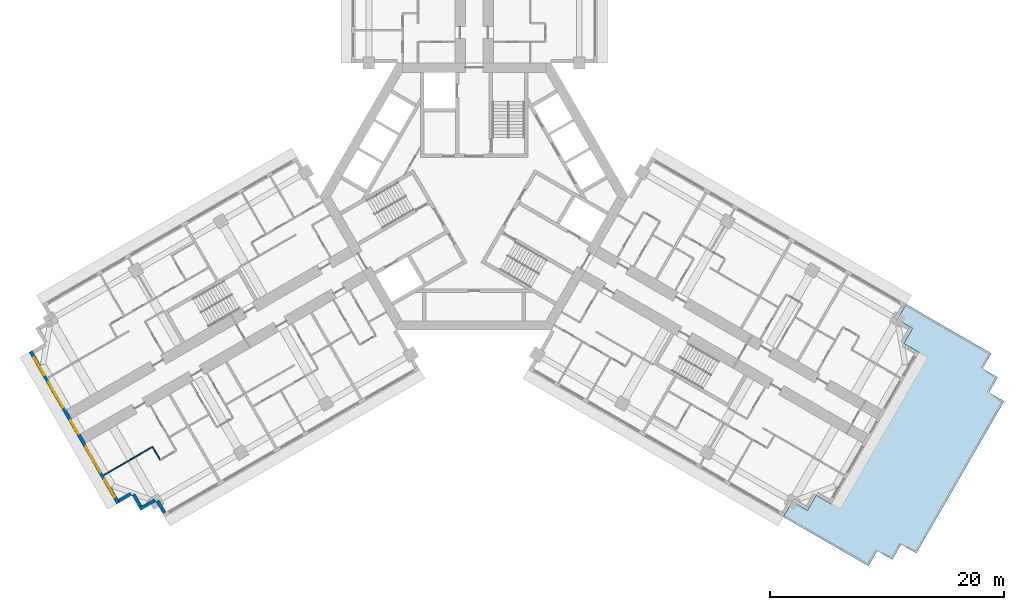
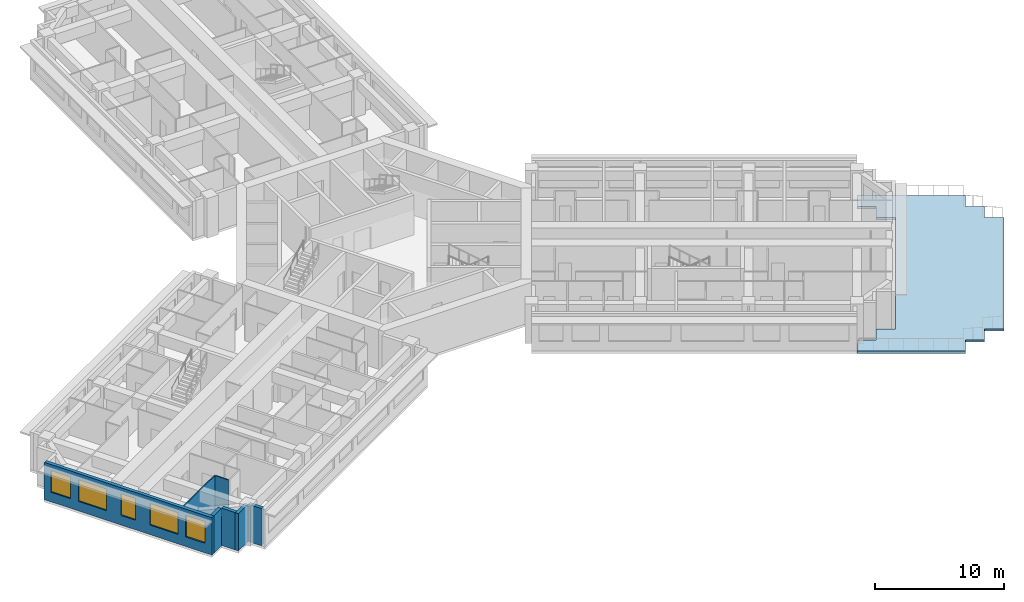
# One storey, part 2 of 14: 7 walls, 5 windows, 1 slab, 5 openings.
"""IFC4 building model written with IfcOpenShell, lengths in metres."""

from ifc_helpers import new_model, si_unit, direction, frame, frame_2d, origin, place, context, subcontext, project, spatial, polyline, rectangle, outline, extrude, material, layer, layer_set, type_object, element, fill, save


model = new_model("IFC4")

# Units and contexts
model_context = context("Model", 3, precision=1e-05, world=origin(), true_north=direction((0.0, 1.0)))
body_context = subcontext(model_context, "Body", "Model", "MODEL_VIEW")
ifc_project = project(units=[si_unit("LENGTHUNIT", "METRE"), si_unit("AREAUNIT", "SQUARE_METRE"), si_unit("VOLUMEUNIT", "CUBIC_METRE"), si_unit("PLANEANGLEUNIT", "RADIAN"), si_unit("MASSUNIT", "GRAM", prefix="KILO")], contexts=[model_context])

# Site, building, storey
site_placement = place(None, origin())
site = spatial("IfcSite", under=ifc_project, at=site_placement, CompositionType="ELEMENT")
building_placement = place(site_placement, origin())
building = spatial("IfcBuilding", under=site, at=building_placement, Name="Impinga Residences", CompositionType="ELEMENT")
storey_placement = place(building_placement, frame((0.0, 0.0, 158.5)))
storey = spatial("IfcBuildingStorey", under=building, at=storey_placement, Name="L39", CompositionType="ELEMENT", Elevation=158.5)

# Slab
ifc_material_1 = material(Name="Concrete C60/75", Category="concrete")
ifc_layer_1 = layer(ifc_material_1, 0.219970703125)
ifc_layer_set_1 = layer_set([ifc_layer_1], Name="Concrete C60/75")
slab_type = type_object("IfcSlabType", Name="TS2 setback terrace slab 220", PredefinedType="ROOF", material=ifc_layer_set_1)
slab_placement = place(storey_placement, frame((0.0, 0.0, -0.219970703125)))
element("IfcSlab", 1, at=slab_placement, inside=storey, type_object=slab_type, Name="Maintenance roof TS2 L39", PredefinedType="ROOF", context=body_context, shape_type="SweptSolid", body=[
    extrude(outline(polyline([(43.49853515625, -14.721435546875), (44.797607421875, -15.471435546875), (44.047607421875, -16.7705078125), (45.346435546875, -17.5205078125), (37.846435546875, -30.510986328125), (36.547607421875, -29.760986328125), (35.797607421875, -31.06005859375), (34.49853515625, -30.31005859375), (33.74853515625, -31.609130859375), (26.474609375, -27.409423828125), (27.22412109375, -26.111328125), (28.5224609375, -26.86083984375), (28.5224609375, -26.86083984375), (28.5224609375, -26.86083984375), (28.522705078125, -26.861083984375), (28.522705078125, -26.861083984375), (28.52294921875, -26.861083984375), (28.52294921875, -26.861083984375), (28.52294921875, -26.861083984375), (28.523193359375, -26.861083984375), (28.523193359375, -26.86083984375), (28.5234375, -26.86083984375), (28.5234375, -26.86083984375), (28.5234375, -26.86083984375), (28.523681640625, -26.86083984375), (28.523681640625, -26.860595703125), (28.523681640625, -26.860595703125), (28.523681640625, -26.860595703125), (29.273193359375, -25.562255859375), (30.571533203125, -26.311767578125), (30.571533203125, -26.311767578125), (30.571533203125, -26.31201171875), (30.57177734375, -26.31201171875), (30.57177734375, -26.31201171875), (30.57177734375, -26.31201171875), (30.572021484375, -26.31201171875), (30.572021484375, -26.31201171875), (30.572265625, -26.31201171875), (30.572265625, -26.31201171875), (30.572265625, -26.311767578125), (30.572509765625, -26.311767578125), (30.572509765625, -26.311767578125), (30.572509765625, -26.311767578125), (30.57275390625, -26.3115234375), (30.57275390625, -26.3115234375), (30.57275390625, -26.3115234375), (38.07275390625, -13.321044921875), (38.07275390625, -13.321044921875), (38.07275390625, -13.32080078125), (38.072998046875, -13.32080078125), (38.072998046875, -13.32080078125), (38.072998046875, -13.320556640625), (38.072998046875, -13.320556640625), (38.072998046875, -13.3203125), (38.072998046875, -13.3203125), (38.07275390625, -13.3203125), (38.07275390625, -13.320068359375), (38.07275390625, -13.320068359375), (38.07275390625, -13.320068359375), (38.07275390625, -13.31982421875), (38.072509765625, -13.31982421875), (38.072509765625, -13.31982421875), (38.072509765625, -13.31982421875), (36.774169921875, -12.5703125), (37.523681640625, -11.27197265625), (37.523681640625, -11.27197265625), (37.52392578125, -11.27197265625), (37.52392578125, -11.271728515625), (37.52392578125, -11.271728515625), (37.52392578125, -11.271484375), (37.52392578125, -11.271484375), (37.52392578125, -11.271484375), (37.52392578125, -11.271240234375), (37.52392578125, -11.271240234375), (37.523681640625, -11.27099609375), (37.523681640625, -11.27099609375), (37.523681640625, -11.27099609375), (37.523681640625, -11.270751953125), (37.5234375, -11.270751953125), (37.5234375, -11.270751953125), (37.5234375, -11.270751953125), (36.22509765625, -10.521240234375), (36.974609375, -9.222900390625), (36.974609375, -9.222900390625), (44.24853515625, -13.422607421875), (43.49853515625, -14.721435546875)])), origin(), (0.0, 0.0, 1.0), 0.219970703125),
])

# Walls
ifc_material_2 = material(Name="Terracotta rainscreen on blockwork", Category="masonry")
ifc_layer_2 = layer(ifc_material_2, 0.300048828125)
ifc_layer_set_2 = layer_set([ifc_layer_2], Name="EW1 external wall, terracotta rainscreen on blockwork 300")
wall_type_1 = type_object("IfcWallType", Name="EW1 external wall, terracotta rainscreen on blockwork 300", PredefinedType="SOLIDWALL", material=ifc_layer_set_2)
wall_1_placement = place(storey_placement, frame((-26.493896484375, -27.07421875, 0.0), z_axis=(0.0, 0.0, 1.0), x_axis=(-0.500033551112, 0.866006032174, 0.0)))
element("IfcWall", 2, at=wall_1_placement, inside=storey, type_object=wall_type_1, Name="External wall EW1 L39", PredefinedType="SOLIDWALL", context=body_context, shape_type="SweptSolid", body=[
    extrude(rectangle(XDim=1.2001953125, YDim=0.300048828125, at=frame_2d((0.60009765625, 0.0))), origin(), (0.0, 0.0, 1.0), 3.530029296875),
])
wall_2_placement = place(storey_placement, frame((-27.30322265625, -25.982666015625, 0.0), z_axis=(0.0, 0.0, 1.0), x_axis=(-0.866074087889, -0.499915667175, 0.0)))
element("IfcWall", 3, at=wall_2_placement, inside=storey, type_object=wall_type_1, Name="External wall EW1 L39", PredefinedType="SOLIDWALL", context=body_context, shape_type="SweptSolid", body=[
    extrude(rectangle(XDim=1.494873046875, YDim=0.300048828125, at=frame_2d((0.74755859375, 0.0))), origin(), (0.0, 0.0, 1.0), 3.530029296875),
])
wall_3_placement = place(storey_placement, frame((-28.54296875, -26.525146484375, 0.0), z_axis=(0.0, 0.0, 1.0), x_axis=(-0.500033551112, 0.866006032174, 0.0)))
element("IfcWall", 4, at=wall_3_placement, inside=storey, type_object=wall_type_1, Name="External wall EW1 L39", PredefinedType="SOLIDWALL", context=body_context, shape_type="SweptSolid", body=[
    extrude(rectangle(XDim=1.2001953125, YDim=0.300048828125, at=frame_2d((0.60009765625, 0.0))), origin(), (0.0, 0.0, 1.0), 3.530029296875),
])
wall_4_placement = place(storey_placement, frame((-29.352294921875, -25.43359375, 0.0), z_axis=(0.0, 0.0, 1.0), x_axis=(-0.866059708757, -0.499940577336, 0.0)))
element("IfcWall", 5, at=wall_4_placement, inside=storey, type_object=wall_type_1, Name="External wall EW1 L39", PredefinedType="SOLIDWALL", context=body_context, shape_type="SweptSolid", body=[
    extrude(rectangle(XDim=1.195068359375, YDim=0.300048828125, at=frame_2d((0.59765625, 0.0))), origin(), (0.0, 0.0, 1.0), 3.530029296875),
])

# Wall, openings, windows
wall_5_placement = place(storey_placement, frame((-30.44189453125, -26.23583984375, 0.0), z_axis=(0.0, 0.0, 1.0), x_axis=(-0.500004234368, 0.866022959057, 0.0)))
wall_5 = element("IfcWall", 6, at=wall_5_placement, inside=storey, type_object=wall_type_1, Name="External wall EW1 L39", PredefinedType="SOLIDWALL", context=body_context, shape_type="SweptSolid", body=[
    extrude(rectangle(XDim=14.999755859375, YDim=0.300048828125, at=frame_2d((7.5, 0.0))), origin(), (0.0, 0.0, 1.0), 3.530029296875),
])
opening_1_placement = place(wall_5_placement, frame((0.60009765625, 0.0, 0.89990234375)))
opening_1 = element("IfcOpeningElement", 7, at=opening_1_placement, cuts=wall_5, Name="Opening W1", PredefinedType="OPENING", context=body_context, shape_type="SweptSolid", body=[
    extrude(rectangle(XDim=1.75, YDim=2.050048828125, at=frame_2d((0.875, 1.02490234375))), frame((0.0, 0.159912109375, 0.0), z_axis=(0.0, -1.0, 0.0), x_axis=(1.0, 0.0, 0.0)), (0.0, 0.0, 1.0), 0.320068359375),
])
opening_2_placement = place(wall_5_placement, frame((3.050048828125, 0.0, 0.89990234375)))
opening_2 = element("IfcOpeningElement", 8, at=opening_2_placement, cuts=wall_5, Name="Opening W2", PredefinedType="OPENING", context=body_context, shape_type="SweptSolid", body=[
    extrude(rectangle(XDim=2.5, YDim=2.050048828125, at=frame_2d((1.25, 1.02490234375))), frame((0.0, 0.159912109375, 0.0), z_axis=(0.0, -1.0, 0.0), x_axis=(1.0, 0.0, 0.0)), (0.0, 0.0, 1.0), 0.320068359375),
])
opening_3_placement = place(wall_5_placement, frame((6.85009765625, 0.0, 0.89990234375)))
opening_3 = element("IfcOpeningElement", 9, at=opening_3_placement, cuts=wall_5, Name="Opening WE1", PredefinedType="OPENING", context=body_context, shape_type="SweptSolid", body=[
    extrude(rectangle(XDim=1.300048828125, YDim=2.050048828125, at=frame_2d((0.64990234375, 1.02490234375))), frame((0.0, 0.159912109375, 0.0), z_axis=(0.0, -1.0, 0.0), x_axis=(1.0, 0.0, 0.0)), (0.0, 0.0, 1.0), 0.320068359375),
])
opening_4_placement = place(wall_5_placement, frame((9.449951171875, 0.0, 0.89990234375)))
opening_4 = element("IfcOpeningElement", 10, at=opening_4_placement, cuts=wall_5, Name="Opening W2", PredefinedType="OPENING", context=body_context, shape_type="SweptSolid", body=[
    extrude(rectangle(XDim=2.5, YDim=2.050048828125, at=frame_2d((1.25, 1.02490234375))), frame((0.0, 0.159912109375, 0.0), z_axis=(0.0, -1.0, 0.0), x_axis=(1.0, 0.0, 0.0)), (0.0, 0.0, 1.0), 0.320068359375),
])
opening_5_placement = place(wall_5_placement, frame((12.64990234375, 0.0, 0.89990234375)))
opening_5 = element("IfcOpeningElement", 11, at=opening_5_placement, cuts=wall_5, Name="Opening W1", PredefinedType="OPENING", context=body_context, shape_type="SweptSolid", body=[
    extrude(rectangle(XDim=1.75, YDim=2.050048828125, at=frame_2d((0.875, 1.02490234375))), frame((0.0, 0.159912109375, 0.0), z_axis=(0.0, -1.0, 0.0), x_axis=(1.0, 0.0, 0.0)), (0.0, 0.0, 1.0), 0.320068359375),
])
ifc_material_3 = material(Name="Aluminium window, clear double glazing", Category="aluminium")
window_type_1 = type_object("IfcWindowType", Name="W1 ribbon window 1750x2050", PartitioningType="SINGLE_PANEL", PredefinedType="WINDOW", material=ifc_material_3)
window_1_placement = place(opening_1_placement, origin())
window_1 = element("IfcWindow", 12, at=window_1_placement, inside=storey, type_object=window_type_1, Name="Window L39", OverallHeight=2.050048828125, OverallWidth=1.75, PartitioningType="SINGLE_PANEL", PredefinedType="WINDOW", context=body_context, shape_type="SweptSolid", body=[
    extrude(rectangle(XDim=1.75, YDim=2.050048828125, at=frame_2d((0.875, 1.02490234375))), frame((0.0, 0.030029296875, 0.0), z_axis=(0.0, -1.0, 0.0), x_axis=(1.0, 0.0, 0.0)), (0.0, 0.0, 1.0), 0.06005859375),
])
fill(opening_1, window_1)
window_2_placement = place(opening_5_placement, origin())
window_2 = element("IfcWindow", 13, at=window_2_placement, inside=storey, type_object=window_type_1, Name="Window L39", OverallHeight=2.050048828125, OverallWidth=1.75, PartitioningType="SINGLE_PANEL", PredefinedType="WINDOW", context=body_context, shape_type="SweptSolid", body=[
    extrude(rectangle(XDim=1.75, YDim=2.050048828125, at=frame_2d((0.875, 1.02490234375))), frame((0.0, 0.030029296875, 0.0), z_axis=(0.0, -1.0, 0.0), x_axis=(1.0, 0.0, 0.0)), (0.0, 0.0, 1.0), 0.06005859375),
])
fill(opening_5, window_2)
window_type_2 = type_object("IfcWindowType", Name="W2 ribbon window 2500x2050", PartitioningType="SINGLE_PANEL", PredefinedType="WINDOW", material=ifc_material_3)
window_3_placement = place(opening_2_placement, origin())
window_3 = element("IfcWindow", 14, at=window_3_placement, inside=storey, type_object=window_type_2, Name="Window L39", OverallHeight=2.050048828125, OverallWidth=2.5, PartitioningType="SINGLE_PANEL", PredefinedType="WINDOW", context=body_context, shape_type="SweptSolid", body=[
    extrude(rectangle(XDim=2.5, YDim=2.050048828125, at=frame_2d((1.25, 1.02490234375))), frame((0.0, 0.030029296875, 0.0), z_axis=(0.0, -1.0, 0.0), x_axis=(1.0, 0.0, 0.0)), (0.0, 0.0, 1.0), 0.06005859375),
])
fill(opening_2, window_3)
window_4_placement = place(opening_4_placement, origin())
window_4 = element("IfcWindow", 15, at=window_4_placement, inside=storey, type_object=window_type_2, Name="Window L39", OverallHeight=2.050048828125, OverallWidth=2.5, PartitioningType="SINGLE_PANEL", PredefinedType="WINDOW", context=body_context, shape_type="SweptSolid", body=[
    extrude(rectangle(XDim=2.5, YDim=2.050048828125, at=frame_2d((1.25, 1.02490234375))), frame((0.0, 0.030029296875, 0.0), z_axis=(0.0, -1.0, 0.0), x_axis=(1.0, 0.0, 0.0)), (0.0, 0.0, 1.0), 0.06005859375),
])
fill(opening_4, window_4)
window_type_3 = type_object("IfcWindowType", Name="WE1 corridor window 1300x2050", PartitioningType="SINGLE_PANEL", PredefinedType="WINDOW", material=ifc_material_3)
window_5_placement = place(opening_3_placement, origin())
window_5 = element("IfcWindow", 16, at=window_5_placement, inside=storey, type_object=window_type_3, Name="Window L39", OverallHeight=2.050048828125, OverallWidth=1.300048828125, PartitioningType="SINGLE_PANEL", PredefinedType="WINDOW", context=body_context, shape_type="SweptSolid", body=[
    extrude(rectangle(XDim=1.300048828125, YDim=2.050048828125, at=frame_2d((0.64990234375, 1.02490234375))), frame((0.0, 0.030029296875, 0.0), z_axis=(0.0, -1.0, 0.0), x_axis=(1.0, 0.0, 0.0)), (0.0, 0.0, 1.0), 0.06005859375),
])
fill(opening_3, window_5)

# Walls
ifc_material_4 = material(Name="Gypsum board on steel studs", Category="steel")
ifc_layer_3 = layer(ifc_material_4, 0.10009765625)
ifc_layer_set_3 = layer_set([ifc_layer_3], Name="Gypsum board on steel studs")
wall_type_2 = type_object("IfcWallType", Name="IP1 partition 100", PredefinedType="PARTITIONING", material=ifc_layer_set_3)
wall_6_placement = place(storey_placement, frame((-27.505126953125, -21.422607421875, 0.0), z_axis=(0.0, 0.0, 1.0), x_axis=(-0.866015339567, -0.500017431331, 0.0)))
element("IfcWall", 17, at=wall_6_placement, inside=storey, type_object=wall_type_2, Name="Partition L39-WA4:DIV1", PredefinedType="PARTITIONING", context=body_context, shape_type="SweptSolid", body=[
    extrude(rectangle(XDim=4.800048828125, YDim=0.10009765625, at=frame_2d((2.39990234375, 0.0))), origin(), (0.0, 0.0, 1.0), 3.530029296875),
])
wall_7_placement = place(storey_placement, frame((-27.480224609375, -21.466064453125, 0.0), z_axis=(0.0, 0.0, 1.0), x_axis=(0.50012165622, -0.865955154139, 0.0)))
element("IfcWall", 18, at=wall_7_placement, inside=storey, type_object=wall_type_2, Name="Partition L39-WA4:SE1", PredefinedType="PARTITIONING", context=body_context, shape_type="SweptSolid", body=[
    extrude(rectangle(XDim=1.199951171875, YDim=0.10009765625, at=frame_2d((0.60009765625, 0.0))), origin(), (0.0, 0.0, 1.0), 3.530029296875),
])

save(model, "model.ifc")
